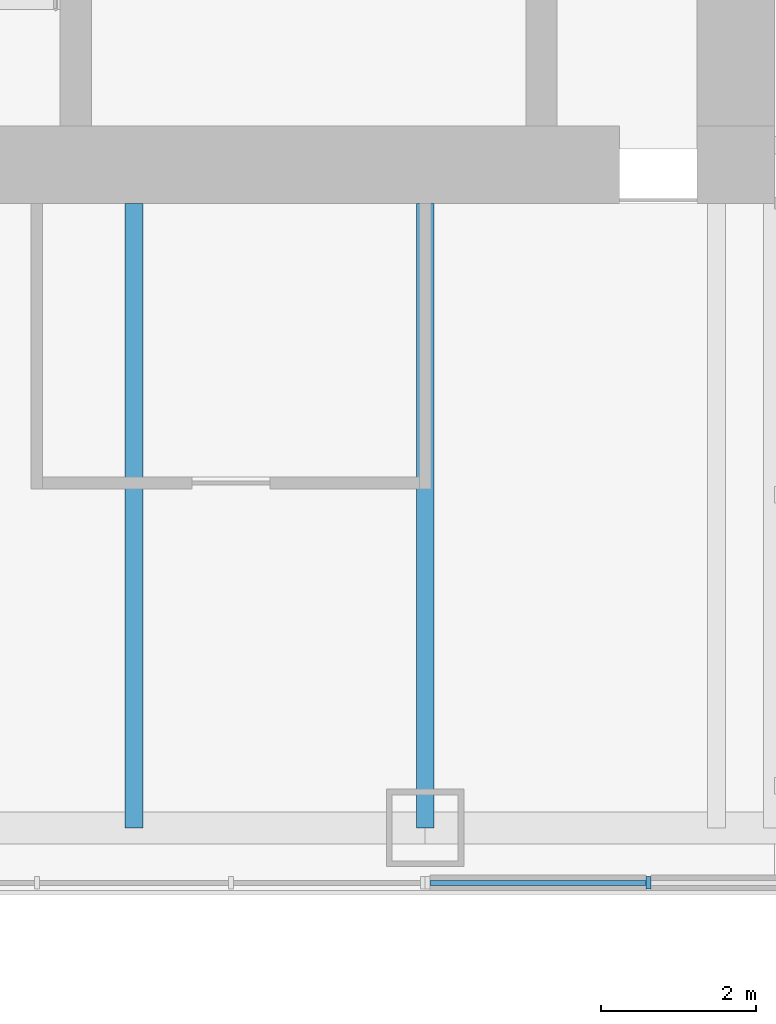
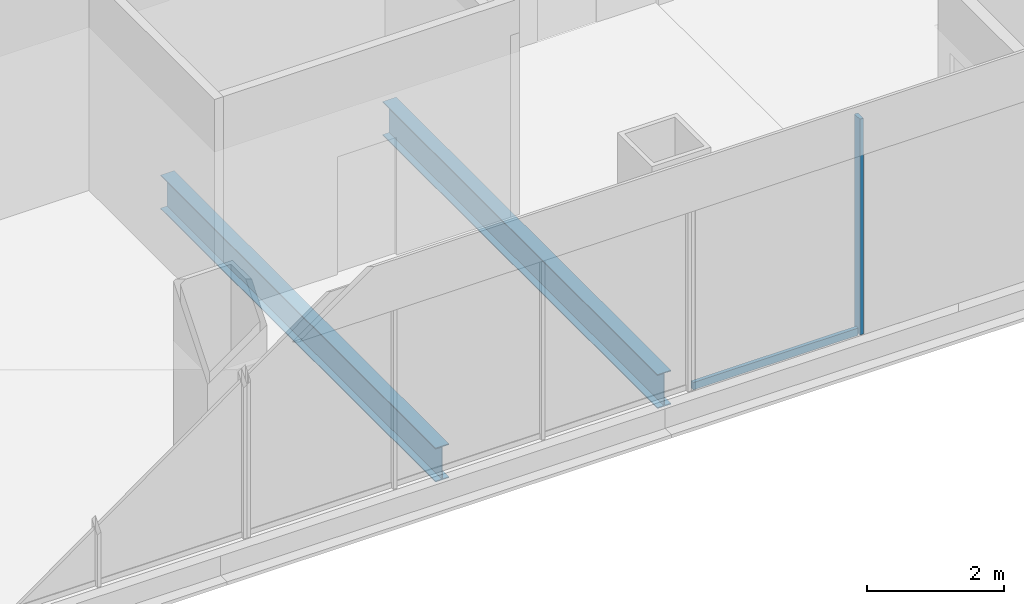
# One storey, part 3 of 14: 2 beams, 2 members, 1 element without a shape of its own.
"""IFC4 building model written with IfcOpenShell, lengths in metres."""

from ifc_helpers import new_model, si_unit, direction, frame, origin, origin_2d, place, context, subcontext, project, spatial, rectangle, i_section, extrude, material, material_profile, profile_set, type_object, element, aggregate, save


model = new_model("IFC4")

# Units and contexts
model_context = context("Model", 3, precision=1e-05, world=origin(), true_north=direction((0.0, 1.0)))
body_context = subcontext(model_context, "Body", "Model", "MODEL_VIEW")
ifc_project = project(units=[si_unit("LENGTHUNIT", "METRE"), si_unit("AREAUNIT", "SQUARE_METRE"), si_unit("VOLUMEUNIT", "CUBIC_METRE"), si_unit("PLANEANGLEUNIT", "RADIAN"), si_unit("MASSUNIT", "GRAM", prefix="KILO")], contexts=[model_context])

# Site, building, storey
site_placement = place(None, origin())
site = spatial("IfcSite", under=ifc_project, at=site_placement, CompositionType="ELEMENT")
building_placement = place(site_placement, origin())
building = spatial("IfcBuilding", under=site, at=building_placement, Name="Tarangal Relay Tower", CompositionType="ELEMENT")
storey_placement = place(building_placement, frame((0.0, 0.0, 323.89990234375)))
storey = spatial("IfcBuildingStorey", under=building, at=storey_placement, Name="L72", CompositionType="ELEMENT", Elevation=323.89990234375)

# Beams
ifc_material_1 = material(Name="Steel ASTM A992", Category="steel")
ifc_material_profile_1 = material_profile(ifc_material_1, i_section(OverallWidth=0.228271484375, OverallDepth=0.607177734375, WebThickness=0.01123046875, FlangeThickness=0.017333984375, at=origin_2d()), Name="W24X76")
ifc_profile_set_1 = profile_set([ifc_material_profile_1], Name="Steel ASTM A992")
beam_type = type_object("IfcBeamType", Name="Floor beam W24X76", PredefinedType="BEAM", material=ifc_profile_set_1)
for number, where, z_axis, x_axis, name in (
    (1, (7.5, -12.0, -0.453369140625), (0.0, -1.0, 0.0), (1.0, 0.0, 0.0), "Floor beam RB5 S L72"),
    (2, (3.75, -12.0, -0.453369140625), (0.0, -1.0, 0.0), (1.0, 0.0, 0.0), "Floor beam RB5 S L72"),
):
    element("IfcBeam", number, at=place(storey_placement, frame(where, z_axis=z_axis, x_axis=x_axis)), inside=storey, type_object=beam_type, Name=name, PredefinedType="BEAM", context=body_context, shape_type="SweptSolid", body=[
        extrude(i_section(OverallWidth=0.228271484375, OverallDepth=0.607177734375, WebThickness=0.01123046875, FlangeThickness=0.017333984375, at=origin_2d()), origin(), (0.0, 0.0, 1.0), 8.0400390625),
    ])

# Curtain wall, members
ifc_material_2 = material(Name="Unitised curtain wall frame, black aluminium, with metal clad infill walls", Category="aluminium")
curtain_wall_type = type_object("IfcCurtainWallType", Name="Curtain wall CW-BO", PredefinedType="USERDEFINED", material=ifc_material_2)
curtain_wall_placement = place(storey_placement, origin())
curtain_wall = element("IfcCurtainWall", 3, at=curtain_wall_placement, inside=storey, type_object=curtain_wall_type, Name="Curtain wall CW-BO S facade L72", ObjectType="UNITISED CURTAIN WALL", PredefinedType="USERDEFINED")
ifc_material_3 = material(Name="Black anodised aluminium mullion", Category="aluminium")
ifc_material_profile_2 = material_profile(ifc_material_3, rectangle(XDim=0.159912109375, YDim=0.06005859375, at=origin_2d()), Name="CW-BOM 60X160")
ifc_profile_set_2 = profile_set([ifc_material_profile_2], Name="Black anodised aluminium mullion")
member_type_1 = type_object("IfcMemberType", Name="Mullion CW-BO 60 x 160", PredefinedType="MULLION", material=ifc_profile_set_2)
member_1_placement = place(storey_placement, frame((10.375, -20.75, 0.0), z_axis=(0.0, 0.0, 1.0), x_axis=(0.0, -1.0, 0.0)))
member_1 = element("IfcMember", 4, at=member_1_placement, type_object=member_type_1, Name="CW-BO mullion 2", PredefinedType="MULLION", context=body_context, shape_type="SweptSolid", body=[
    extrude(rectangle(XDim=0.159912109375, YDim=0.06005859375, at=origin_2d()), origin(), (0.0, 0.0, 1.0), 3.85009765625),
])
ifc_material_4 = material(Name="Black anodised aluminium transom", Category="aluminium")
ifc_material_profile_3 = material_profile(ifc_material_4, rectangle(XDim=0.06005859375, YDim=0.1298828125, at=origin_2d()), Name="CW-BOT 60X130")
ifc_profile_set_3 = profile_set([ifc_material_profile_3], Name="Black anodised aluminium transom")
member_type_2 = type_object("IfcMemberType", Name="Transom CW-BO 60 x 130", PredefinedType="USERDEFINED", material=ifc_profile_set_3)
member_2_placement = place(storey_placement, frame((10.344970703125, -20.75, 0.030029296875), z_axis=(-1.0, 0.0, 0.0), x_axis=(0.0, -1.0, 0.0)))
member_2 = element("IfcMember", 5, at=member_2_placement, type_object=member_type_2, Name="CW-BO transom 2.1", ObjectType="TRANSOM", PredefinedType="USERDEFINED", context=body_context, shape_type="SweptSolid", body=[
    extrude(rectangle(XDim=0.06005859375, YDim=0.1298828125, at=origin_2d()), origin(), (0.0, 0.0, 1.0), 2.784912109375),
])
aggregate(curtain_wall, [member_1, member_2])

save(model, "model.ifc")
